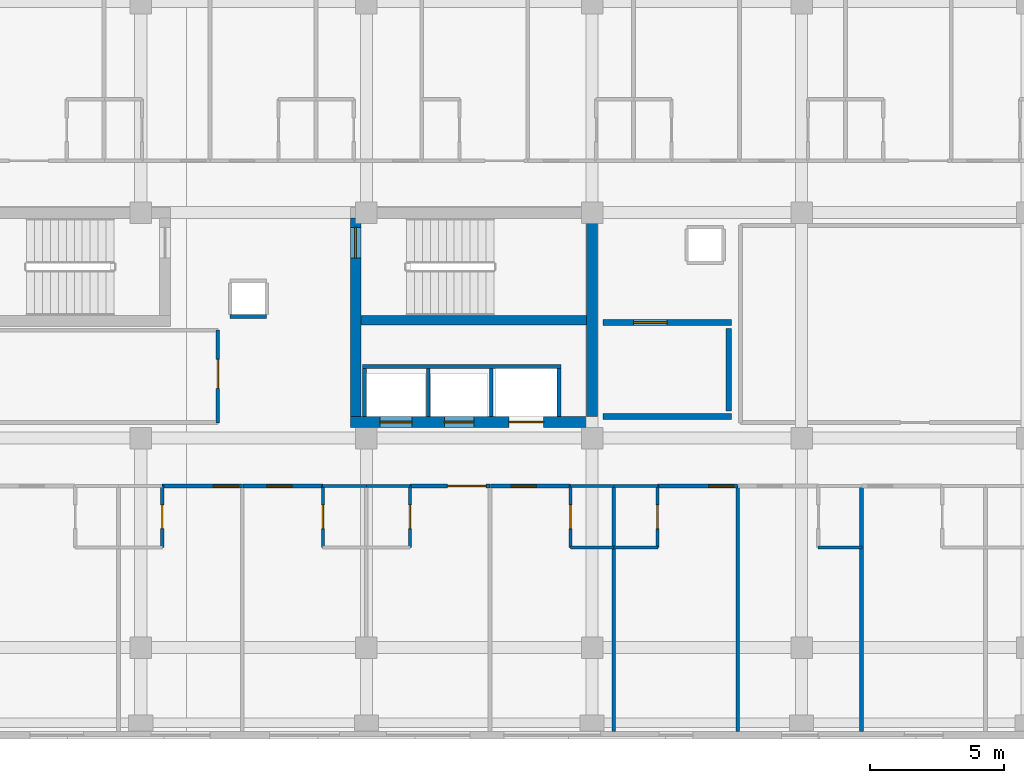
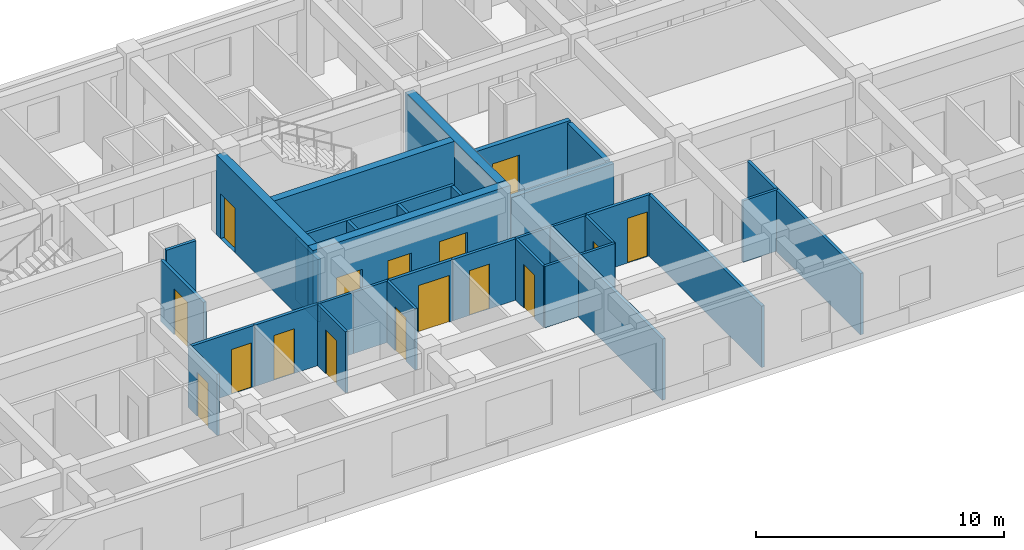
# One storey, part 106 of 123: 34 walls, 16 doors, 16 openings.
"""IFC4 building model written with IfcOpenShell, lengths in metres."""

from ifc_helpers import new_model, si_unit, direction, frame, frame_2d, origin, place, context, subcontext, project, spatial, rectangle, extrude, material, layer, layer_set, type_object, element, fill, save


model = new_model("IFC4")

# Units and contexts
model_context = context("Model", 3, precision=1e-05, world=origin(), true_north=direction((0.0, 1.0)))
body_context = subcontext(model_context, "Body", "Model", "MODEL_VIEW")
ifc_project = project(units=[si_unit("LENGTHUNIT", "METRE"), si_unit("AREAUNIT", "SQUARE_METRE"), si_unit("VOLUMEUNIT", "CUBIC_METRE"), si_unit("PLANEANGLEUNIT", "RADIAN"), si_unit("MASSUNIT", "GRAM", prefix="KILO")], contexts=[model_context])

# Site, building, storey
site_placement = place(None, origin())
site = spatial("IfcSite", under=ifc_project, at=site_placement, CompositionType="ELEMENT")
building_placement = place(site_placement, origin())
building = spatial("IfcBuilding", under=site, at=building_placement, Name="Zayran Congress Hotel", CompositionType="ELEMENT")
storey_placement = place(building_placement, frame((0.0, 0.0, 15.0)))
storey = spatial("IfcBuildingStorey", under=building, at=storey_placement, Name="L03", CompositionType="ELEMENT", Elevation=15.0)

# Wall, openings, doors
ifc_material_1 = material(Name="Concrete C40/50", Category="concrete")
ifc_layer_1 = layer(ifc_material_1, 0.39990234375)
ifc_layer_set_1 = layer_set([ifc_layer_1], Name="Concrete C40/50")
wall_type_1 = type_object("IfcWallType", Name="WL-SH-400", PredefinedType="SHEAR", material=ifc_layer_set_1)
wall_1_placement = place(storey_placement, frame((49.800048828125, 17.800048828125, 0.0), z_axis=(0.0, 0.0, 1.0), x_axis=(1.0, 0.0, 0.0)))
wall_1 = element("IfcWall", 1, at=wall_1_placement, inside=storey, type_object=wall_type_1, Name="CWALL-C-V5E-L03-S", PredefinedType="SHEAR", context=body_context, shape_type="SweptSolid", body=[
    extrude(rectangle(XDim=9.199951171875, YDim=0.39990234375, at=frame_2d((4.60009765625, 0.0))), origin(), (0.0, 0.0, 1.0), 3.919921875),
])
opening_1_placement = place(wall_1_placement, frame((1.10009765625, 0.0, 0.0)))
opening_1 = element("IfcOpeningElement", 2, at=opening_1_placement, cuts=wall_1, Name="Opening LD-FL02", PredefinedType="OPENING", context=body_context, shape_type="SweptSolid", body=[
    extrude(rectangle(XDim=1.199951171875, YDim=2.199951171875, at=frame_2d((0.60009765625, 1.10009765625))), frame((0.0, 0.2099609375, 0.0), z_axis=(0.0, -1.0, 0.0), x_axis=(1.0, 0.0, 0.0)), (0.0, 0.0, 1.0), 0.419921875),
])
opening_2_placement = place(wall_1_placement, frame((3.5, 0.0, 0.0)))
opening_2 = element("IfcOpeningElement", 3, at=opening_2_placement, cuts=wall_1, Name="Opening LD-PL03", PredefinedType="OPENING", context=body_context, shape_type="SweptSolid", body=[
    extrude(rectangle(XDim=1.10009765625, YDim=2.199951171875, at=frame_2d((0.550048828125, 1.10009765625))), frame((0.0, 0.2099609375, 0.0), z_axis=(0.0, -1.0, 0.0), x_axis=(1.0, 0.0, 0.0)), (0.0, 0.0, 1.0), 0.419921875),
])
opening_3_placement = place(wall_1_placement, frame((5.89990234375, 0.0, 0.0)))
opening_3 = element("IfcOpeningElement", 4, at=opening_3_placement, cuts=wall_1, Name="Opening LD-SV01", PredefinedType="OPENING", context=body_context, shape_type="SweptSolid", body=[
    extrude(rectangle(XDim=1.300048828125, YDim=2.300048828125, at=frame_2d((0.64990234375, 1.14990234375))), frame((0.0, 0.2099609375, 0.0), z_axis=(0.0, -1.0, 0.0), x_axis=(1.0, 0.0, 0.0)), (0.0, 0.0, 1.0), 0.419921875),
])
ifc_material_2 = material(Name="Brushed stainless steel sliding lift landing door", Category="steel")
door_type_1 = type_object("IfcDoorType", Name="TP-DR-LD-01", OperationType="DOUBLE_DOOR_SLIDING", PredefinedType="DOOR", material=ifc_material_2)
door_1_placement = place(opening_2_placement, origin())
door_1 = element("IfcDoor", 5, at=door_1_placement, inside=storey, type_object=door_type_1, Name="Lift PL-03 Sliding Landing Door L03", OperationType="DOUBLE_DOOR_SLIDING", OverallHeight=2.199951171875, OverallWidth=1.10009765625, PredefinedType="DOOR", context=body_context, shape_type="SweptSolid", body=[
    extrude(rectangle(XDim=1.10009765625, YDim=2.199951171875, at=frame_2d((0.550048828125, 1.10009765625))), frame((0.0, 0.02490234375, 0.0), z_axis=(0.0, -1.0, 0.0), x_axis=(1.0, 0.0, 0.0)), (0.0, 0.0, 1.0), 0.050048828125),
])
fill(opening_2, door_1)
ifc_material_3 = material(Name="Brushed stainless steel firefighting lift landing door", Category="steel")
door_type_2 = type_object("IfcDoorType", Name="TP-DR-LD-02", OperationType="DOUBLE_DOOR_SLIDING", PredefinedType="DOOR", material=ifc_material_3)
door_2_placement = place(opening_1_placement, origin())
door_2 = element("IfcDoor", 6, at=door_2_placement, inside=storey, type_object=door_type_2, Name="Lift FL-02 Sliding Landing Door L03", OperationType="DOUBLE_DOOR_SLIDING", OverallHeight=2.199951171875, OverallWidth=1.199951171875, PredefinedType="DOOR", context=body_context, shape_type="SweptSolid", body=[
    extrude(rectangle(XDim=1.199951171875, YDim=2.199951171875, at=frame_2d((0.60009765625, 1.10009765625))), frame((0.0, 0.02490234375, 0.0), z_axis=(0.0, -1.0, 0.0), x_axis=(1.0, 0.0, 0.0)), (0.0, 0.0, 1.0), 0.050048828125),
])
fill(opening_1, door_2)
ifc_material_4 = material(Name="Heavy-duty stainless steel service lift landing door", Category="steel")
door_type_3 = type_object("IfcDoorType", Name="TP-DR-LD-03", OperationType="DOUBLE_DOOR_SLIDING", PredefinedType="DOOR", material=ifc_material_4)
door_3_placement = place(opening_3_placement, origin())
door_3 = element("IfcDoor", 7, at=door_3_placement, inside=storey, type_object=door_type_3, Name="Lift SV-01 Sliding Landing Door L03", OperationType="DOUBLE_DOOR_SLIDING", OverallHeight=2.300048828125, OverallWidth=1.300048828125, PredefinedType="DOOR", context=body_context, shape_type="SweptSolid", body=[
    extrude(rectangle(XDim=1.300048828125, YDim=2.300048828125, at=frame_2d((0.64990234375, 1.14990234375))), frame((0.0, 0.02490234375, 0.0), z_axis=(0.0, -1.0, 0.0), x_axis=(1.0, 0.0, 0.0)), (0.0, 0.0, 1.0), 0.050048828125),
])
fill(opening_3, door_3)

# Wall, opening, door
wall_2_placement = place(storey_placement, frame((50.0, 25.39990234375, 0.0), z_axis=(0.0, 0.0, 1.0), x_axis=(0.0, -1.0, 0.0)))
wall_2 = element("IfcWall", 8, at=wall_2_placement, inside=storey, type_object=wall_type_1, Name="CWALL-C-V5E-L03-W", PredefinedType="SHEAR", context=body_context, shape_type="SweptSolid", body=[
    extrude(rectangle(XDim=7.39990234375, YDim=0.39990234375, at=frame_2d((3.699951171875, 0.0))), origin(), (0.0, 0.0, 1.0), 3.919921875),
])
opening_4_placement = place(wall_2_placement, frame((0.35009765625, 0.0, 0.0)))
opening_4 = element("IfcOpeningElement", 9, at=opening_4_placement, cuts=wall_2, Name="Opening DR-FD-90", PredefinedType="OPENING", context=body_context, shape_type="SweptSolid", body=[
    extrude(rectangle(XDim=1.14990234375, YDim=2.199951171875, at=frame_2d((0.574951171875, 1.10009765625))), frame((0.0, 0.2099609375, 0.0), z_axis=(0.0, -1.0, 0.0), x_axis=(1.0, 0.0, 0.0)), (0.0, 0.0, 1.0), 0.419921875),
])
ifc_material_5 = material(Name="Painted steel fire door assembly", Category="steel")
door_type_4 = type_object("IfcDoorType", Name="TP-DR-FD-90", OperationType="NOTDEFINED", PredefinedType="DOOR", material=ifc_material_5)
door_4_placement = place(opening_4_placement, origin())
door_4 = element("IfcDoor", 10, at=door_4_placement, inside=storey, type_object=door_type_4, Name="ST-02 Exit Stair Door L03", OperationType="SINGLE_SWING_LEFT", OverallHeight=2.199951171875, OverallWidth=1.14990234375, PredefinedType="DOOR", context=body_context, shape_type="SweptSolid", body=[
    extrude(rectangle(XDim=1.14990234375, YDim=2.199951171875, at=frame_2d((0.574951171875, 1.10009765625))), frame((0.0, 0.02490234375, 0.0), z_axis=(0.0, -1.0, 0.0), x_axis=(1.0, 0.0, 0.0)), (0.0, 0.0, 1.0), 0.050048828125),
])
fill(opening_4, door_4)

# Walls
wall_3_placement = place(storey_placement, frame((58.800048828125, 18.0, 0.0), z_axis=(0.0, 0.0, 1.0), x_axis=(0.0, 1.0, 0.0)))
element("IfcWall", 11, at=wall_3_placement, inside=storey, type_object=wall_type_1, Name="CWALL-C-V5E-L03-E", PredefinedType="SHEAR", context=body_context, shape_type="SweptSolid", body=[
    extrude(rectangle(XDim=7.39990234375, YDim=0.39990234375, at=frame_2d((3.699951171875, 0.0))), origin(), (0.0, 0.0, 1.0), 3.919921875),
])
ifc_layer_2 = layer(ifc_material_1, 0.35009765625)
ifc_layer_set_2 = layer_set([ifc_layer_2], Name="Concrete C40/50")
wall_type_2 = type_object("IfcWallType", Name="WL-SH-350", PredefinedType="SHEAR", material=ifc_layer_set_2)
wall_4_placement = place(storey_placement, frame((50.199951171875, 21.5849609375, 0.0), z_axis=(0.0, 0.0, 1.0), x_axis=(1.0, 0.0, 0.0)))
element("IfcWall", 12, at=wall_4_placement, inside=storey, type_object=wall_type_2, Name="CWALL-C-V5E-L03-SPN", PredefinedType="SHEAR", context=body_context, shape_type="SweptSolid", body=[
    extrude(rectangle(XDim=8.400146484375, YDim=0.35009765625, at=frame_2d((4.2001953125, 0.0))), origin(), (0.0, 0.0, 1.0), 3.919921875),
])
ifc_material_6 = material(Name="Concrete C32/40 fire wall", Category="concrete")
ifc_layer_3 = layer(ifc_material_6, 0.219970703125)
ifc_layer_set_3 = layer_set([ifc_layer_3], Name="Concrete C32/40 fire wall")
wall_type_3 = type_object("IfcWallType", Name="WL-FF-220", PredefinedType="SOLIDWALL", material=ifc_layer_set_3)
wall_5_placement = place(storey_placement, frame((59.199951171875, 18.0, 0.0), z_axis=(0.0, 0.0, 1.0), x_axis=(1.0, 0.0, 0.0)))
element("IfcWall", 13, at=wall_5_placement, inside=storey, type_object=wall_type_3, Name="FFWL-C-V5E-L03-S", PredefinedType="SOLIDWALL", context=body_context, shape_type="SweptSolid", body=[
    extrude(rectangle(XDim=4.800048828125, YDim=0.219970703125, at=frame_2d((2.39990234375, 0.0))), origin(), (0.0, 0.0, 1.0), 3.070068359375),
])

# Wall, opening, door
wall_6_placement = place(storey_placement, frame((59.199951171875, 21.5, 0.0), z_axis=(0.0, 0.0, 1.0), x_axis=(1.0, 0.0, 0.0)))
wall_6 = element("IfcWall", 14, at=wall_6_placement, inside=storey, type_object=wall_type_3, Name="FFWL-C-V5E-L03-N", PredefinedType="SOLIDWALL", context=body_context, shape_type="SweptSolid", body=[
    extrude(rectangle(XDim=4.800048828125, YDim=0.219970703125, at=frame_2d((2.39990234375, 0.0))), origin(), (0.0, 0.0, 1.0), 3.070068359375),
])
opening_5_placement = place(wall_6_placement, frame((1.14990234375, 0.0, 0.0)))
opening_5 = element("IfcOpeningElement", 15, at=opening_5_placement, cuts=wall_6, Name="Opening DR-FF-60", PredefinedType="OPENING", context=body_context, shape_type="SweptSolid", body=[
    extrude(rectangle(XDim=1.25, YDim=2.199951171875, at=frame_2d((0.625, 1.10009765625))), frame((0.0, 0.119873046875, 0.0), z_axis=(0.0, -1.0, 0.0), x_axis=(1.0, 0.0, 0.0)), (0.0, 0.0, 1.0), 0.239990234375),
])
ifc_material_7 = material(Name="Painted steel smoke-seal fire door", Category="steel")
door_type_5 = type_object("IfcDoorType", Name="TP-DR-FF-60", OperationType="NOTDEFINED", PredefinedType="DOOR", material=ifc_material_7)
door_5_placement = place(opening_5_placement, origin())
door_5 = element("IfcDoor", 16, at=door_5_placement, inside=storey, type_object=door_type_5, Name="Firefighting Lift Lobby Door C-V5E L03", OperationType="SINGLE_SWING_RIGHT", OverallHeight=2.199951171875, OverallWidth=1.25, PredefinedType="DOOR", context=body_context, shape_type="SweptSolid", body=[
    extrude(rectangle(XDim=1.25, YDim=2.199951171875, at=frame_2d((0.625, 1.10009765625))), frame((0.0, 0.02490234375, 0.0), z_axis=(0.0, -1.0, 0.0), x_axis=(1.0, 0.0, 0.0)), (0.0, 0.0, 1.0), 0.050048828125),
])
fill(opening_5, door_5)

# Walls
wall_7_placement = place(storey_placement, frame((63.889892578125, 18.219970703125, 0.0), z_axis=(0.0, 0.0, 1.0), x_axis=(0.0, 1.0, 0.0)))
element("IfcWall", 17, at=wall_7_placement, inside=storey, type_object=wall_type_3, Name="FFWL-C-V5E-L03-SD", PredefinedType="SOLIDWALL", context=body_context, shape_type="SweptSolid", body=[
    extrude(rectangle(XDim=3.06005859375, YDim=0.219970703125, at=frame_2d((1.530029296875, 0.0))), origin(), (0.0, 0.0, 1.0), 3.070068359375),
])
ifc_material_8 = material(Name="Hospitality guestroom acoustic partition", Category="gypsum")
ifc_layer_4 = layer(ifc_material_8, 0.139892578125)
ifc_layer_set_4 = layer_set([ifc_layer_4], Name="Hospitality guestroom acoustic partition")
wall_type_4 = type_object("IfcWallType", Name="WL-PT-140", PredefinedType="PARTITIONING", material=ifc_layer_set_4)
for number, where, z_axis, x_axis, name in (
    (18, (50.330078125, 18.0, 0.0), (0.0, 0.0, 1.0), (0.0, 1.0, 0.0), "LSHW-C-V5E-L03-W"),
    (19, (52.699951171875, 18.0, 0.0), (0.0, 0.0, 1.0), (0.0, 1.0, 0.0), "LSHW-C-V5E-L03-DIV1"),
    (20, (55.050048828125, 18.0, 0.0), (0.0, 0.0, 1.0), (0.0, 1.0, 0.0), "LSHW-C-V5E-L03-DIV2"),
    (21, (57.570068359375, 18.0, 0.0), (0.0, 0.0, 1.0), (0.0, 1.0, 0.0), "LSHW-C-V5E-L03-E"),
):
    element("IfcWall", number, at=place(storey_placement, frame(where, z_axis=z_axis, x_axis=x_axis)), inside=storey, type_object=wall_type_4, Name=name, PredefinedType="PARTITIONING", context=body_context, shape_type="SweptSolid", body=[
        extrude(rectangle(XDim=1.800048828125, YDim=0.139892578125, at=frame_2d((0.89990234375, 0.0))), origin(), (0.0, 0.0, 1.0), 3.070068359375),
    ])
wall_8_placement = place(storey_placement, frame((50.260009765625, 19.8701171875, 0.0), z_axis=(0.0, 0.0, 1.0), x_axis=(1.0, 0.0, 0.0)))
element("IfcWall", 22, at=wall_8_placement, inside=storey, type_object=wall_type_4, Name="LSHW-C-V5E-L03-N", PredefinedType="PARTITIONING", context=body_context, shape_type="SweptSolid", body=[
    extrude(rectangle(XDim=7.3798828125, YDim=0.139892578125, at=frame_2d((3.68994140625, 0.0))), origin(), (0.0, 0.0, 1.0), 3.070068359375),
])

# Wall, opening, door
wall_9_placement = place(storey_placement, frame((44.8701171875, 17.77001953125, 0.0), z_axis=(0.0, 0.0, 1.0), x_axis=(0.0, 1.0, 0.0)))
wall_9 = element("IfcWall", 23, at=wall_9_placement, inside=storey, type_object=wall_type_4, Name="IW-L03-0568", PredefinedType="PARTITIONING", context=body_context, shape_type="SweptSolid", body=[
    extrude(rectangle(XDim=3.4599609375, YDim=0.139892578125, at=frame_2d((1.72998046875, 0.0))), origin(), (0.0, 0.0, 1.0), 3.02001953125),
])
opening_6_placement = place(wall_9_placement, frame((1.283935546875, 0.0, 0.0)))
opening_6 = element("IfcOpeningElement", 24, at=opening_6_placement, cuts=wall_9, Name="Opening DR-MT-01", PredefinedType="OPENING", context=body_context, shape_type="SweptSolid", body=[
    extrude(rectangle(XDim=1.080078125, YDim=2.25, at=frame_2d((0.5400390625, 1.125))), frame((0.0, 0.079833984375, 0.0), z_axis=(0.0, -1.0, 0.0), x_axis=(1.0, 0.0, 0.0)), (0.0, 0.0, 1.0), 0.159912109375),
])
ifc_material_9 = material(Name="Acoustic timber seminar room door", Category="wood")
door_type_6 = type_object("IfcDoorType", Name="TP-DR-MT-01", OperationType="NOTDEFINED", PredefinedType="DOOR", material=ifc_material_9)
door_6_placement = place(opening_6_placement, origin())
door_6 = element("IfcDoor", 25, at=door_6_placement, inside=storey, type_object=door_type_6, Name="Hospitality Gallery Lounge L03 Door", OperationType="SINGLE_SWING_RIGHT", OverallHeight=2.25, OverallWidth=1.080078125, PredefinedType="DOOR", context=body_context, shape_type="SweptSolid", body=[
    extrude(rectangle(XDim=1.080078125, YDim=2.25, at=frame_2d((0.5400390625, 1.125))), frame((0.0, 0.02490234375, 0.0), z_axis=(0.0, -1.0, 0.0), x_axis=(1.0, 0.0, 0.0)), (0.0, 0.0, 1.0), 0.050048828125),
])
fill(opening_6, door_6)

wall_10_placement = place(storey_placement, frame((42.797119140625, 15.419921875, 0.0), z_axis=(0.0, 0.0, 1.0), x_axis=(1.0, 0.0, 0.0)))
wall_10 = element("IfcWall", 26, at=wall_10_placement, inside=storey, type_object=wall_type_4, Name="IW-L03-0578", PredefinedType="PARTITIONING", context=body_context, shape_type="SweptSolid", body=[
    extrude(rectangle(XDim=2.98193359375, YDim=0.139892578125, at=frame_2d((1.490966796875, 0.0))), origin(), (0.0, 0.0, 1.0), 3.02001953125),
])
opening_7_placement = place(wall_10_placement, frame((1.902099609375, 0.0, 0.0)))
opening_7 = element("IfcOpeningElement", 27, at=opening_7_placement, cuts=wall_10, Name="Opening DR-GR-01", PredefinedType="OPENING", context=body_context, shape_type="SweptSolid", body=[
    extrude(rectangle(XDim=0.93994140625, YDim=2.199951171875, at=frame_2d((0.469970703125, 1.10009765625))), frame((0.0, 0.079833984375, 0.0), z_axis=(0.0, -1.0, 0.0), x_axis=(1.0, 0.0, 0.0)), (0.0, 0.0, 1.0), 0.159912109375),
])
ifc_material_10 = material(Name="Acoustic walnut veneer fire-rated entry door", Category="wood")
door_type_7 = type_object("IfcDoorType", Name="TP-DR-GR-01", OperationType="NOTDEFINED", PredefinedType="DOOR", material=ifc_material_10)
door_7_placement = place(opening_7_placement, origin())
door_7 = element("IfcDoor", 28, at=door_7_placement, inside=storey, type_object=door_type_7, Name="Guest Room L03-08 Door", OperationType="SINGLE_SWING_LEFT", OverallHeight=2.199951171875, OverallWidth=0.93994140625, PredefinedType="DOOR", context=body_context, shape_type="SweptSolid", body=[
    extrude(rectangle(XDim=0.93994140625, YDim=2.199951171875, at=frame_2d((0.469970703125, 1.10009765625))), frame((0.0, 0.02490234375, 0.0), z_axis=(0.0, -1.0, 0.0), x_axis=(1.0, 0.0, 0.0)), (0.0, 0.0, 1.0), 0.050048828125),
])
fill(opening_7, door_7)

wall_11_placement = place(storey_placement, frame((45.799072265625, 15.419921875, 0.0), z_axis=(0.0, 0.0, 1.0), x_axis=(1.0, 0.0, 0.0)))
wall_11 = element("IfcWall", 29, at=wall_11_placement, inside=storey, type_object=wall_type_4, Name="IW-L03-0579", PredefinedType="PARTITIONING", context=body_context, shape_type="SweptSolid", body=[
    extrude(rectangle(XDim=2.98193359375, YDim=0.139892578125, at=frame_2d((1.490966796875, 0.0))), origin(), (0.0, 0.0, 1.0), 3.02001953125),
])
opening_8_placement = place(wall_11_placement, frame((0.89501953125, 0.0, 0.0)))
opening_8 = element("IfcOpeningElement", 30, at=opening_8_placement, cuts=wall_11, Name="Opening DR-GR-01", PredefinedType="OPENING", context=body_context, shape_type="SweptSolid", body=[
    extrude(rectangle(XDim=0.93994140625, YDim=2.199951171875, at=frame_2d((0.469970703125, 1.10009765625))), frame((0.0, 0.079833984375, 0.0), z_axis=(0.0, -1.0, 0.0), x_axis=(1.0, 0.0, 0.0)), (0.0, 0.0, 1.0), 0.159912109375),
])
door_8_placement = place(opening_8_placement, origin())
door_8 = element("IfcDoor", 31, at=door_8_placement, inside=storey, type_object=door_type_7, Name="Guest Room L03-09 Door", OperationType="SINGLE_SWING_RIGHT", OverallHeight=2.199951171875, OverallWidth=0.93994140625, PredefinedType="DOOR", context=body_context, shape_type="SweptSolid", body=[
    extrude(rectangle(XDim=0.93994140625, YDim=2.199951171875, at=frame_2d((0.469970703125, 1.10009765625))), frame((0.0, 0.02490234375, 0.0), z_axis=(0.0, -1.0, 0.0), x_axis=(1.0, 0.0, 0.0)), (0.0, 0.0, 1.0), 0.050048828125),
])
fill(opening_8, door_8)

wall_12_placement = place(storey_placement, frame((52.01904296875, 15.419921875, 0.0), z_axis=(0.0, 0.0, 1.0), x_axis=(1.0, 0.0, 0.0)))
wall_12 = element("IfcWall", 32, at=wall_12_placement, inside=storey, type_object=wall_type_4, Name="IW-L03-0580", PredefinedType="PARTITIONING", context=body_context, shape_type="SweptSolid", body=[
    extrude(rectangle(XDim=2.98193359375, YDim=0.139892578125, at=frame_2d((1.490966796875, 0.0))), origin(), (0.0, 0.0, 1.0), 3.02001953125),
])
opening_9_placement = place(wall_12_placement, frame((1.39208984375, 0.0, 0.0)))
opening_9 = element("IfcOpeningElement", 33, at=opening_9_placement, cuts=wall_12, Name="Opening DR-ST-01", PredefinedType="OPENING", context=body_context, shape_type="SweptSolid", body=[
    extrude(rectangle(XDim=1.449951171875, YDim=2.300048828125, at=frame_2d((0.72509765625, 1.14990234375))), frame((0.0, 0.079833984375, 0.0), z_axis=(0.0, -1.0, 0.0), x_axis=(1.0, 0.0, 0.0)), (0.0, 0.0, 1.0), 0.159912109375),
])
ifc_material_11 = material(Name="Double walnut veneer suite entry door", Category="wood")
door_type_8 = type_object("IfcDoorType", Name="TP-DR-ST-01", OperationType="DOUBLE_DOOR_SINGLE_SWING", PredefinedType="DOOR", material=ifc_material_11)
door_9_placement = place(opening_9_placement, origin())
door_9 = element("IfcDoor", 34, at=door_9_placement, inside=storey, type_object=door_type_8, Name="Junior Suite L03-10 Door", OperationType="DOUBLE_DOOR_SINGLE_SWING", OverallHeight=2.300048828125, OverallWidth=1.449951171875, PredefinedType="DOOR", context=body_context, shape_type="SweptSolid", body=[
    extrude(rectangle(XDim=1.449951171875, YDim=2.300048828125, at=frame_2d((0.72509765625, 1.14990234375))), frame((0.0, 0.02490234375, 0.0), z_axis=(0.0, -1.0, 0.0), x_axis=(1.0, 0.0, 0.0)), (0.0, 0.0, 1.0), 0.050048828125),
])
fill(opening_9, door_9)

wall_13_placement = place(storey_placement, frame((55.02099609375, 15.419921875, 0.0), z_axis=(0.0, 0.0, 1.0), x_axis=(1.0, 0.0, 0.0)))
wall_13 = element("IfcWall", 35, at=wall_13_placement, inside=storey, type_object=wall_type_4, Name="IW-L03-0581", PredefinedType="PARTITIONING", context=body_context, shape_type="SweptSolid", body=[
    extrude(rectangle(XDim=2.98193359375, YDim=0.139892578125, at=frame_2d((1.490966796875, 0.0))), origin(), (0.0, 0.0, 1.0), 3.02001953125),
])
opening_10_placement = place(wall_13_placement, frame((0.76904296875, 0.0, 0.0)))
opening_10 = element("IfcOpeningElement", 36, at=opening_10_placement, cuts=wall_13, Name="Opening DR-GR-01", PredefinedType="OPENING", context=body_context, shape_type="SweptSolid", body=[
    extrude(rectangle(XDim=0.93994140625, YDim=2.199951171875, at=frame_2d((0.469970703125, 1.10009765625))), frame((0.0, 0.079833984375, 0.0), z_axis=(0.0, -1.0, 0.0), x_axis=(1.0, 0.0, 0.0)), (0.0, 0.0, 1.0), 0.159912109375),
])
door_10_placement = place(opening_10_placement, origin())
door_10 = element("IfcDoor", 37, at=door_10_placement, inside=storey, type_object=door_type_7, Name="Guest Room L03-11 Door", OperationType="SINGLE_SWING_LEFT", OverallHeight=2.199951171875, OverallWidth=0.93994140625, PredefinedType="DOOR", context=body_context, shape_type="SweptSolid", body=[
    extrude(rectangle(XDim=0.93994140625, YDim=2.199951171875, at=frame_2d((0.469970703125, 1.10009765625))), frame((0.0, 0.02490234375, 0.0), z_axis=(0.0, -1.0, 0.0), x_axis=(1.0, 0.0, 0.0)), (0.0, 0.0, 1.0), 0.050048828125),
])
fill(opening_10, door_10)

wall_14_placement = place(storey_placement, frame((61.240966796875, 15.419921875, 0.0), z_axis=(0.0, 0.0, 1.0), x_axis=(1.0, 0.0, 0.0)))
wall_14 = element("IfcWall", 38, at=wall_14_placement, inside=storey, type_object=wall_type_4, Name="IW-L03-0582", PredefinedType="PARTITIONING", context=body_context, shape_type="SweptSolid", body=[
    extrude(rectangle(XDim=2.98193359375, YDim=0.139892578125, at=frame_2d((1.490966796875, 0.0))), origin(), (0.0, 0.0, 1.0), 3.02001953125),
])
opening_11_placement = place(wall_14_placement, frame((1.902099609375, 0.0, 0.0)))
opening_11 = element("IfcOpeningElement", 39, at=opening_11_placement, cuts=wall_14, Name="Opening DR-GR-01", PredefinedType="OPENING", context=body_context, shape_type="SweptSolid", body=[
    extrude(rectangle(XDim=0.93994140625, YDim=2.199951171875, at=frame_2d((0.469970703125, 1.10009765625))), frame((0.0, 0.079833984375, 0.0), z_axis=(0.0, -1.0, 0.0), x_axis=(1.0, 0.0, 0.0)), (0.0, 0.0, 1.0), 0.159912109375),
])
door_11_placement = place(opening_11_placement, origin())
door_11 = element("IfcDoor", 40, at=door_11_placement, inside=storey, type_object=door_type_7, Name="Guest Room L03-12 Door", OperationType="SINGLE_SWING_RIGHT", OverallHeight=2.199951171875, OverallWidth=0.93994140625, PredefinedType="DOOR", context=body_context, shape_type="SweptSolid", body=[
    extrude(rectangle(XDim=0.93994140625, YDim=2.199951171875, at=frame_2d((0.469970703125, 1.10009765625))), frame((0.0, 0.02490234375, 0.0), z_axis=(0.0, -1.0, 0.0), x_axis=(1.0, 0.0, 0.0)), (0.0, 0.0, 1.0), 0.050048828125),
])
fill(opening_11, door_11)

# Walls
for number, where, z_axis, x_axis, name in (
    (41, (59.612060546875, 6.280029296875, 0.0), (0.0, 0.0, 1.0), (0.0, 1.0, 0.0), "IW-L03-1903"),
    (42, (64.222900390625, 6.280029296875, 0.0), (0.0, 0.0, 1.0), (0.0, 1.0, 0.0), "IW-L03-1904"),
    (43, (68.833984375, 6.280029296875, 0.0), (0.0, 0.0, 1.0), (0.0, 1.0, 0.0), "IW-L03-1905"),
):
    element("IfcWall", number, at=place(storey_placement, frame(where, z_axis=z_axis, x_axis=x_axis)), inside=storey, type_object=wall_type_4, Name=name, PredefinedType="PARTITIONING", context=body_context, shape_type="SweptSolid", body=[
        extrude(rectangle(XDim=9.14990234375, YDim=0.139892578125, at=frame_2d((4.574951171875, 0.0))), origin(), (0.0, 0.0, 1.0), 3.02001953125),
    ])
wall_15_placement = place(storey_placement, frame((45.330078125, 21.72998046875, 0.0), z_axis=(0.0, 0.0, 1.0), x_axis=(1.0, 0.0, 0.0)))
element("IfcWall", 44, at=wall_15_placement, inside=storey, type_object=wall_type_4, Name="RSWL-V5-L03-033-S", PredefinedType="PARTITIONING", context=body_context, shape_type="SweptSolid", body=[
    extrude(rectangle(XDim=1.35986328125, YDim=0.139892578125, at=frame_2d((0.679931640625, 0.0))), origin(), (0.0, 0.0, 1.0), 3.0400390625),
])

# Wall, opening, door
ifc_material_12 = material(Name="Moisture-resistant bathroom partition", Category="gypsum")
ifc_layer_5 = layer(ifc_material_12, 0.1201171875)
ifc_layer_set_5 = layer_set([ifc_layer_5], Name="Moisture-resistant bathroom partition")
wall_type_5 = type_object("IfcWallType", Name="WL-PT-120", PredefinedType="PARTITIONING", material=ifc_layer_set_5)
wall_16_placement = place(storey_placement, frame((42.797119140625, 13.1201171875, 0.0), z_axis=(0.0, 0.0, 1.0), x_axis=(0.0, 1.0, 0.0)))
wall_16 = element("IfcWall", 45, at=wall_16_placement, inside=storey, type_object=wall_type_5, Name="IW-L03-0098", PredefinedType="PARTITIONING", context=body_context, shape_type="SweptSolid", body=[
    extrude(rectangle(XDim=2.309814453125, YDim=0.1201171875, at=frame_2d((1.15478515625, 0.0))), origin(), (0.0, 0.0, 1.0), 3.02001953125),
])
opening_12_placement = place(wall_16_placement, frame((0.715087890625, 0.0, 0.0)))
opening_12 = element("IfcOpeningElement", 46, at=opening_12_placement, cuts=wall_16, Name="Opening DR-BT-01", PredefinedType="OPENING", context=body_context, shape_type="SweptSolid", body=[
    extrude(rectangle(XDim=0.8798828125, YDim=2.14990234375, at=frame_2d((0.43994140625, 1.074951171875))), frame((0.0, 0.070068359375, 0.0), z_axis=(0.0, -1.0, 0.0), x_axis=(1.0, 0.0, 0.0)), (0.0, 0.0, 1.0), 0.14013671875),
])
ifc_material_13 = material(Name="Moisture-resistant oak en-suite door", Category="wood")
door_type_9 = type_object("IfcDoorType", Name="TP-DR-BT-01", OperationType="NOTDEFINED", PredefinedType="DOOR", material=ifc_material_13)
door_12_placement = place(opening_12_placement, origin())
door_12 = element("IfcDoor", 47, at=door_12_placement, inside=storey, type_object=door_type_9, Name="En-Suite Bathroom L03-08 Door", OperationType="SINGLE_SWING_LEFT", OverallHeight=2.14990234375, OverallWidth=0.8798828125, PredefinedType="DOOR", context=body_context, shape_type="SweptSolid", body=[
    extrude(rectangle(XDim=0.8798828125, YDim=2.14990234375, at=frame_2d((0.43994140625, 1.074951171875))), frame((0.0, 0.02490234375, 0.0), z_axis=(0.0, -1.0, 0.0), x_axis=(1.0, 0.0, 0.0)), (0.0, 0.0, 1.0), 0.050048828125),
])
fill(opening_12, door_12)

wall_17_placement = place(storey_placement, frame((48.781005859375, 13.1201171875, 0.0), z_axis=(0.0, 0.0, 1.0), x_axis=(0.0, 1.0, 0.0)))
wall_17 = element("IfcWall", 48, at=wall_17_placement, inside=storey, type_object=wall_type_5, Name="IW-L03-0099", PredefinedType="PARTITIONING", context=body_context, shape_type="SweptSolid", body=[
    extrude(rectangle(XDim=2.309814453125, YDim=0.1201171875, at=frame_2d((1.15478515625, 0.0))), origin(), (0.0, 0.0, 1.0), 3.02001953125),
])
opening_13_placement = place(wall_17_placement, frame((0.715087890625, 0.0, 0.0)))
opening_13 = element("IfcOpeningElement", 49, at=opening_13_placement, cuts=wall_17, Name="Opening DR-BT-01", PredefinedType="OPENING", context=body_context, shape_type="SweptSolid", body=[
    extrude(rectangle(XDim=0.8798828125, YDim=2.14990234375, at=frame_2d((0.43994140625, 1.074951171875))), frame((0.0, 0.070068359375, 0.0), z_axis=(0.0, -1.0, 0.0), x_axis=(1.0, 0.0, 0.0)), (0.0, 0.0, 1.0), 0.14013671875),
])
door_13_placement = place(opening_13_placement, origin())
door_13 = element("IfcDoor", 50, at=door_13_placement, inside=storey, type_object=door_type_9, Name="En-Suite Bathroom L03-09 Door", OperationType="SINGLE_SWING_RIGHT", OverallHeight=2.14990234375, OverallWidth=0.8798828125, PredefinedType="DOOR", context=body_context, shape_type="SweptSolid", body=[
    extrude(rectangle(XDim=0.8798828125, YDim=2.14990234375, at=frame_2d((0.43994140625, 1.074951171875))), frame((0.0, 0.02490234375, 0.0), z_axis=(0.0, -1.0, 0.0), x_axis=(1.0, 0.0, 0.0)), (0.0, 0.0, 1.0), 0.050048828125),
])
fill(opening_13, door_13)

wall_18_placement = place(storey_placement, frame((52.01904296875, 13.1201171875, 0.0), z_axis=(0.0, 0.0, 1.0), x_axis=(0.0, 1.0, 0.0)))
wall_18 = element("IfcWall", 51, at=wall_18_placement, inside=storey, type_object=wall_type_5, Name="IW-L03-0100", PredefinedType="PARTITIONING", context=body_context, shape_type="SweptSolid", body=[
    extrude(rectangle(XDim=2.309814453125, YDim=0.1201171875, at=frame_2d((1.15478515625, 0.0))), origin(), (0.0, 0.0, 1.0), 3.02001953125),
])
opening_14_placement = place(wall_18_placement, frame((0.715087890625, 0.0, 0.0)))
opening_14 = element("IfcOpeningElement", 52, at=opening_14_placement, cuts=wall_18, Name="Opening DR-BT-01", PredefinedType="OPENING", context=body_context, shape_type="SweptSolid", body=[
    extrude(rectangle(XDim=0.8798828125, YDim=2.14990234375, at=frame_2d((0.43994140625, 1.074951171875))), frame((0.0, 0.070068359375, 0.0), z_axis=(0.0, -1.0, 0.0), x_axis=(1.0, 0.0, 0.0)), (0.0, 0.0, 1.0), 0.14013671875),
])
door_14_placement = place(opening_14_placement, origin())
door_14 = element("IfcDoor", 53, at=door_14_placement, inside=storey, type_object=door_type_9, Name="En-Suite Bathroom L03-10 Door", OperationType="SINGLE_SWING_LEFT", OverallHeight=2.14990234375, OverallWidth=0.8798828125, PredefinedType="DOOR", context=body_context, shape_type="SweptSolid", body=[
    extrude(rectangle(XDim=0.8798828125, YDim=2.14990234375, at=frame_2d((0.43994140625, 1.074951171875))), frame((0.0, 0.02490234375, 0.0), z_axis=(0.0, -1.0, 0.0), x_axis=(1.0, 0.0, 0.0)), (0.0, 0.0, 1.0), 0.050048828125),
])
fill(opening_14, door_14)

wall_19_placement = place(storey_placement, frame((58.0029296875, 13.1201171875, 0.0), z_axis=(0.0, 0.0, 1.0), x_axis=(0.0, 1.0, 0.0)))
wall_19 = element("IfcWall", 54, at=wall_19_placement, inside=storey, type_object=wall_type_5, Name="IW-L03-0101", PredefinedType="PARTITIONING", context=body_context, shape_type="SweptSolid", body=[
    extrude(rectangle(XDim=2.309814453125, YDim=0.1201171875, at=frame_2d((1.15478515625, 0.0))), origin(), (0.0, 0.0, 1.0), 3.02001953125),
])
opening_15_placement = place(wall_19_placement, frame((0.715087890625, 0.0, 0.0)))
opening_15 = element("IfcOpeningElement", 55, at=opening_15_placement, cuts=wall_19, Name="Opening DR-BT-01", PredefinedType="OPENING", context=body_context, shape_type="SweptSolid", body=[
    extrude(rectangle(XDim=0.8798828125, YDim=2.14990234375, at=frame_2d((0.43994140625, 1.074951171875))), frame((0.0, 0.070068359375, 0.0), z_axis=(0.0, -1.0, 0.0), x_axis=(1.0, 0.0, 0.0)), (0.0, 0.0, 1.0), 0.14013671875),
])
door_15_placement = place(opening_15_placement, origin())
door_15 = element("IfcDoor", 56, at=door_15_placement, inside=storey, type_object=door_type_9, Name="En-Suite Bathroom L03-11 Door", OperationType="SINGLE_SWING_RIGHT", OverallHeight=2.14990234375, OverallWidth=0.8798828125, PredefinedType="DOOR", context=body_context, shape_type="SweptSolid", body=[
    extrude(rectangle(XDim=0.8798828125, YDim=2.14990234375, at=frame_2d((0.43994140625, 1.074951171875))), frame((0.0, 0.02490234375, 0.0), z_axis=(0.0, -1.0, 0.0), x_axis=(1.0, 0.0, 0.0)), (0.0, 0.0, 1.0), 0.050048828125),
])
fill(opening_15, door_15)

wall_20_placement = place(storey_placement, frame((61.240966796875, 13.1201171875, 0.0), z_axis=(0.0, 0.0, 1.0), x_axis=(0.0, 1.0, 0.0)))
wall_20 = element("IfcWall", 57, at=wall_20_placement, inside=storey, type_object=wall_type_5, Name="IW-L03-0102", PredefinedType="PARTITIONING", context=body_context, shape_type="SweptSolid", body=[
    extrude(rectangle(XDim=2.309814453125, YDim=0.1201171875, at=frame_2d((1.15478515625, 0.0))), origin(), (0.0, 0.0, 1.0), 3.02001953125),
])
opening_16_placement = place(wall_20_placement, frame((0.715087890625, 0.0, 0.0)))
opening_16 = element("IfcOpeningElement", 58, at=opening_16_placement, cuts=wall_20, Name="Opening DR-BT-01", PredefinedType="OPENING", context=body_context, shape_type="SweptSolid", body=[
    extrude(rectangle(XDim=0.8798828125, YDim=2.14990234375, at=frame_2d((0.43994140625, 1.074951171875))), frame((0.0, 0.070068359375, 0.0), z_axis=(0.0, -1.0, 0.0), x_axis=(1.0, 0.0, 0.0)), (0.0, 0.0, 1.0), 0.14013671875),
])
door_16_placement = place(opening_16_placement, origin())
door_16 = element("IfcDoor", 59, at=door_16_placement, inside=storey, type_object=door_type_9, Name="En-Suite Bathroom L03-12 Door", OperationType="SINGLE_SWING_LEFT", OverallHeight=2.14990234375, OverallWidth=0.8798828125, PredefinedType="DOOR", context=body_context, shape_type="SweptSolid", body=[
    extrude(rectangle(XDim=0.8798828125, YDim=2.14990234375, at=frame_2d((0.43994140625, 1.074951171875))), frame((0.0, 0.02490234375, 0.0), z_axis=(0.0, -1.0, 0.0), x_axis=(1.0, 0.0, 0.0)), (0.0, 0.0, 1.0), 0.050048828125),
])
fill(opening_16, door_16)

# Walls
wall_21_placement = place(storey_placement, frame((48.77099609375, 15.419921875, 0.0), z_axis=(0.0, 0.0, 1.0), x_axis=(1.0, 0.0, 0.0)))
element("IfcWall", 60, at=wall_21_placement, inside=storey, type_object=wall_type_5, Name="IW-L03-1066", PredefinedType="PARTITIONING", context=body_context, shape_type="SweptSolid", body=[
    extrude(rectangle(XDim=1.62890625, YDim=0.1201171875, at=frame_2d((0.814453125, 0.0))), origin(), (0.0, 0.0, 1.0), 3.02001953125),
])
wall_22_placement = place(storey_placement, frame((50.39990234375, 15.419921875, 0.0), z_axis=(0.0, 0.0, 1.0), x_axis=(1.0, 0.0, 0.0)))
element("IfcWall", 61, at=wall_22_placement, inside=storey, type_object=wall_type_5, Name="IW-L03-1068", PredefinedType="PARTITIONING", context=body_context, shape_type="SweptSolid", body=[
    extrude(rectangle(XDim=1.619140625, YDim=0.1201171875, at=frame_2d((0.8095703125, 0.0))), origin(), (0.0, 0.0, 1.0), 3.02001953125),
])
for number, where, z_axis, x_axis, name in (
    (62, (57.992919921875, 13.1298828125, 0.0), (0.0, 0.0, 1.0), (1.0, 0.0, 0.0), "IW-L03-1069"),
    (63, (57.992919921875, 15.419921875, 0.0), (0.0, 0.0, 1.0), (1.0, 0.0, 0.0), "IW-L03-1070"),
):
    element("IfcWall", number, at=place(storey_placement, frame(where, z_axis=z_axis, x_axis=x_axis)), inside=storey, type_object=wall_type_5, Name=name, PredefinedType="PARTITIONING", context=body_context, shape_type="SweptSolid", body=[
        extrude(rectangle(XDim=1.629150390625, YDim=0.1201171875, at=frame_2d((0.814453125, 0.0))), origin(), (0.0, 0.0, 1.0), 3.02001953125),
    ])
for number, where, z_axis, x_axis, name in (
    (64, (59.6220703125, 13.1298828125, 0.0), (0.0, 0.0, 1.0), (1.0, 0.0, 0.0), "IW-L03-1071"),
    (65, (59.6220703125, 15.419921875, 0.0), (0.0, 0.0, 1.0), (1.0, 0.0, 0.0), "IW-L03-1072"),
    (66, (67.215087890625, 13.1298828125, 0.0), (0.0, 0.0, 1.0), (1.0, 0.0, 0.0), "IW-L03-1073"),
):
    element("IfcWall", number, at=place(storey_placement, frame(where, z_axis=z_axis, x_axis=x_axis)), inside=storey, type_object=wall_type_5, Name=name, PredefinedType="PARTITIONING", context=body_context, shape_type="SweptSolid", body=[
        extrude(rectangle(XDim=1.62890625, YDim=0.1201171875, at=frame_2d((0.814453125, 0.0))), origin(), (0.0, 0.0, 1.0), 3.02001953125),
    ])

save(model, "model.ifc")
